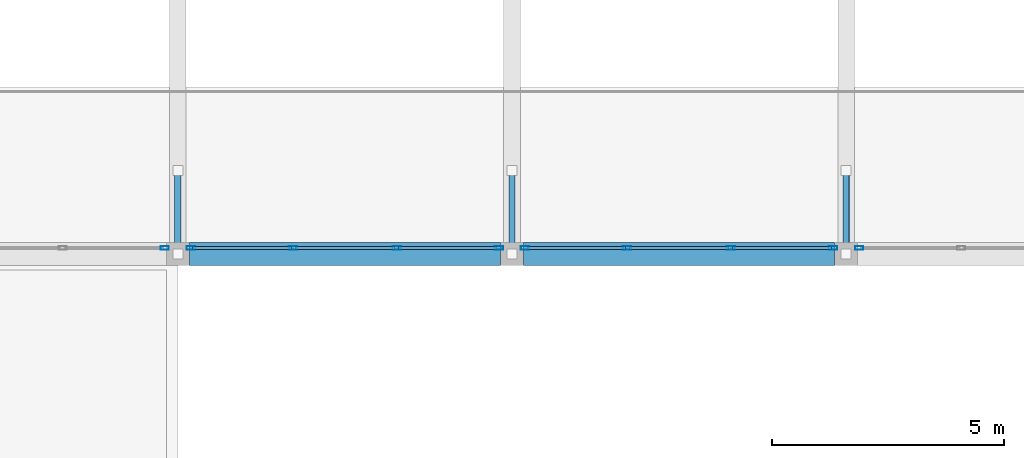
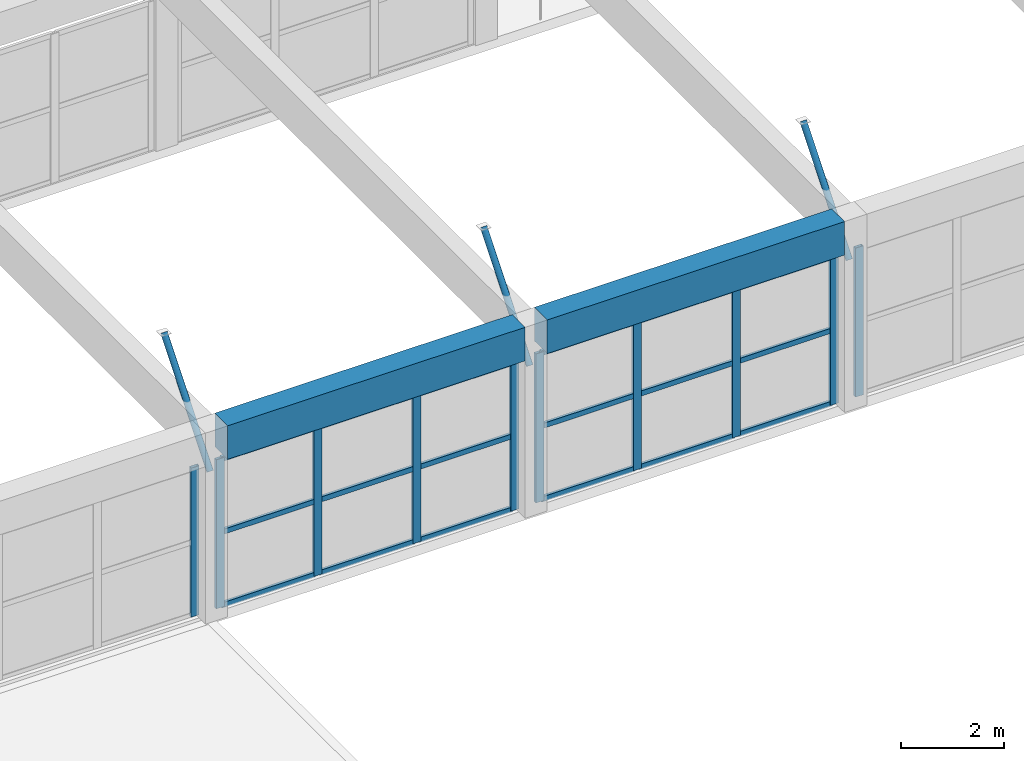
# One storey, part 33 of 153: 31 members, 2 beams, 4 elements without a shape of their own.
"""IFC4 building model written with IfcOpenShell, lengths in metres."""

from ifc_helpers import new_model, si_unit, direction, frame, origin, origin_2d, place, context, subcontext, project, spatial, rectangle, hollow_rectangle, hollow_circle, extrude, material, material_profile, profile_set, type_object, element, aggregate, save


model = new_model("IFC4")

# Units and contexts
model_context = context("Model", 3, precision=1e-05, world=origin(), true_north=direction((0.0, 1.0)))
body_context = subcontext(model_context, "Body", "Model", "MODEL_VIEW")
ifc_project = project(units=[si_unit("LENGTHUNIT", "METRE"), si_unit("AREAUNIT", "SQUARE_METRE"), si_unit("VOLUMEUNIT", "CUBIC_METRE"), si_unit("PLANEANGLEUNIT", "RADIAN"), si_unit("MASSUNIT", "GRAM", prefix="KILO")], contexts=[model_context])

# Site, building, storey
site_placement = place(None, origin())
site = spatial("IfcSite", under=ifc_project, at=site_placement, CompositionType="ELEMENT")
building_placement = place(site_placement, origin())
building = spatial("IfcBuilding", under=site, at=building_placement, Name="Bramvelor Terrace Health Centre", CompositionType="ELEMENT")
storey_placement = place(building_placement, frame((0.0, 0.0, 4.800048828125)))
storey = spatial("IfcBuildingStorey", under=building, at=storey_placement, Name="L02", CompositionType="ELEMENT", Elevation=4.800048828125)

# Beams
ifc_material_1 = material(Name="Concrete C40/50", Category="concrete")
ifc_material_profile_1 = material_profile(ifc_material_1, rectangle(XDim=0.5, YDim=0.800048828125, at=origin_2d()), Name="RC 500x800")
ifc_profile_set_1 = profile_set([ifc_material_profile_1], Name="Concrete C40/50")
beam_type = type_object("IfcBeamType", Name="BM-RC-G800", PredefinedType="BEAM", material=ifc_profile_set_1)
for number, where, z_axis, x_axis, name in (
    (1, (65.050048828125, 36.0, 4.14990234375), (1.0, 0.0, 0.0), (0.0, 1.0, 0.0), "L02 Floor Girder"),
    (2, (72.25, 36.0, 4.14990234375), (1.0, 0.0, 0.0), (0.0, 1.0, 0.0), "L02 Floor Girder"),
):
    element("IfcBeam", number, at=place(storey_placement, frame(where, z_axis=z_axis, x_axis=x_axis)), inside=storey, type_object=beam_type, Name=name, PredefinedType="BEAM", context=body_context, shape_type="SweptSolid", body=[
        extrude(rectangle(XDim=0.5, YDim=0.800048828125, at=origin_2d()), origin(), (0.0, 0.0, 1.0), 6.699951171875),
    ])

# Curtain wall, member
ifc_material_2 = material(Name="Anodized aluminium and double low-E glass", Category="aluminium")
curtain_wall_type = type_object("IfcCurtainWallType", Name="CW-SYS-20", PredefinedType="NOTDEFINED", material=ifc_material_2)
curtain_wall_1_placement = place(storey_placement, origin())
curtain_wall_1 = element("IfcCurtainWall", 3, at=curtain_wall_1_placement, inside=storey, type_object=curtain_wall_type, Name="L02 Unitized Curtain Wall 118", PredefinedType="NOTDEFINED")
ifc_material_3 = material(Name="Anodized aluminium 6063-T6", Category="aluminium")
ifc_material_profile_2 = material_profile(ifc_material_3, hollow_rectangle(XDim=0.074951171875, YDim=0.179931640625, WallThickness=0.00341796875, at=origin_2d()), Name="ALU-MUL 75x180x3.5")
ifc_profile_set_2 = profile_set([ifc_material_profile_2], Name="Anodized aluminium 6063-T6")
member_type_1 = type_object("IfcMemberType", Name="CW-MUL-65x180", PredefinedType="MULLION", material=ifc_profile_set_2)
member_1_placement = place(storey_placement, frame((79.482421875, 36.1298828125, 0.0), z_axis=(0.0, 0.0, 1.0), x_axis=(0.0, -1.0, 0.0)))
member_1 = element("IfcMember", 4, at=member_1_placement, type_object=member_type_1, Name="CW-20 mullion 4", PredefinedType="MULLION", context=body_context, shape_type="SweptSolid", body=[
    extrude(hollow_rectangle(XDim=0.074951171875, YDim=0.179931640625, WallThickness=0.00341796875, at=origin_2d()), origin(), (0.0, 0.0, 1.0), 3.550048828125),
])
aggregate(curtain_wall_1, [member_1])

# Curtain wall, members
curtain_wall_2_placement = place(storey_placement, origin())
curtain_wall_2 = element("IfcCurtainWall", 5, at=curtain_wall_2_placement, inside=storey, type_object=curtain_wall_type, Name="L02 Unitized Curtain Wall 119", PredefinedType="NOTDEFINED")
member_2_placement = place(storey_placement, frame((78.91748046875, 36.1298828125, 0.0), z_axis=(0.0, 0.0, 1.0), x_axis=(0.0, -1.0, 0.0)))
member_2 = element("IfcMember", 6, at=member_2_placement, type_object=member_type_1, Name="CW-20 mullion 1", PredefinedType="MULLION", context=body_context, shape_type="SweptSolid", body=[
    extrude(hollow_rectangle(XDim=0.074951171875, YDim=0.179931640625, WallThickness=0.00341796875, at=origin_2d()), origin(), (0.0, 0.0, 1.0), 3.550048828125),
])
member_3_placement = place(storey_placement, frame((76.71826171875, 36.1298828125, 0.0), z_axis=(0.0, 0.0, 1.0), x_axis=(0.0, -1.0, 0.0)))
member_3 = element("IfcMember", 7, at=member_3_placement, type_object=member_type_1, Name="CW-20 mullion 2", PredefinedType="MULLION", context=body_context, shape_type="SweptSolid", body=[
    extrude(hollow_rectangle(XDim=0.074951171875, YDim=0.179931640625, WallThickness=0.00341796875, at=origin_2d()), origin(), (0.0, 0.0, 1.0), 3.550048828125),
])
member_4_placement = place(storey_placement, frame((74.481689453125, 36.1298828125, 0.0), z_axis=(0.0, 0.0, 1.0), x_axis=(0.0, -1.0, 0.0)))
member_4 = element("IfcMember", 8, at=member_4_placement, type_object=member_type_1, Name="CW-20 mullion 3", PredefinedType="MULLION", context=body_context, shape_type="SweptSolid", body=[
    extrude(hollow_rectangle(XDim=0.074951171875, YDim=0.179931640625, WallThickness=0.00341796875, at=origin_2d()), origin(), (0.0, 0.0, 1.0), 3.550048828125),
])
member_5_placement = place(storey_placement, frame((72.282470703125, 36.1298828125, 0.0), z_axis=(0.0, 0.0, 1.0), x_axis=(0.0, -1.0, 0.0)))
member_5 = element("IfcMember", 9, at=member_5_placement, type_object=member_type_1, Name="CW-20 mullion 4", PredefinedType="MULLION", context=body_context, shape_type="SweptSolid", body=[
    extrude(hollow_rectangle(XDim=0.074951171875, YDim=0.179931640625, WallThickness=0.00341796875, at=origin_2d()), origin(), (0.0, 0.0, 1.0), 3.550048828125),
])

curtain_wall_3_placement = place(storey_placement, origin())
curtain_wall_3 = element("IfcCurtainWall", 10, at=curtain_wall_3_placement, inside=storey, type_object=curtain_wall_type, Name="L02 Unitized Curtain Wall 120", PredefinedType="NOTDEFINED")
member_6_placement = place(storey_placement, frame((71.717529296875, 36.1298828125, 0.0), z_axis=(0.0, 0.0, 1.0), x_axis=(0.0, -1.0, 0.0)))
member_6 = element("IfcMember", 11, at=member_6_placement, type_object=member_type_1, Name="CW-20 mullion 1", PredefinedType="MULLION", context=body_context, shape_type="SweptSolid", body=[
    extrude(hollow_rectangle(XDim=0.074951171875, YDim=0.179931640625, WallThickness=0.00341796875, at=origin_2d()), origin(), (0.0, 0.0, 1.0), 3.550048828125),
])
member_7_placement = place(storey_placement, frame((69.518310546875, 36.1298828125, 0.0), z_axis=(0.0, 0.0, 1.0), x_axis=(0.0, -1.0, 0.0)))
member_7 = element("IfcMember", 12, at=member_7_placement, type_object=member_type_1, Name="CW-20 mullion 2", PredefinedType="MULLION", context=body_context, shape_type="SweptSolid", body=[
    extrude(hollow_rectangle(XDim=0.074951171875, YDim=0.179931640625, WallThickness=0.00341796875, at=origin_2d()), origin(), (0.0, 0.0, 1.0), 3.550048828125),
])
member_8_placement = place(storey_placement, frame((67.28173828125, 36.1298828125, 0.0), z_axis=(0.0, 0.0, 1.0), x_axis=(0.0, -1.0, 0.0)))
member_8 = element("IfcMember", 13, at=member_8_placement, type_object=member_type_1, Name="CW-20 mullion 3", PredefinedType="MULLION", context=body_context, shape_type="SweptSolid", body=[
    extrude(hollow_rectangle(XDim=0.074951171875, YDim=0.179931640625, WallThickness=0.00341796875, at=origin_2d()), origin(), (0.0, 0.0, 1.0), 3.550048828125),
])
member_9_placement = place(storey_placement, frame((65.08251953125, 36.1298828125, 0.0), z_axis=(0.0, 0.0, 1.0), x_axis=(0.0, -1.0, 0.0)))
member_9 = element("IfcMember", 14, at=member_9_placement, type_object=member_type_1, Name="CW-20 mullion 4", PredefinedType="MULLION", context=body_context, shape_type="SweptSolid", body=[
    extrude(hollow_rectangle(XDim=0.074951171875, YDim=0.179931640625, WallThickness=0.00341796875, at=origin_2d()), origin(), (0.0, 0.0, 1.0), 3.550048828125),
])

# Curtain wall, member
curtain_wall_4_placement = place(storey_placement, origin())
curtain_wall_4 = element("IfcCurtainWall", 15, at=curtain_wall_4_placement, inside=storey, type_object=curtain_wall_type, Name="L02 Unitized Curtain Wall 121", PredefinedType="NOTDEFINED")
member_10_placement = place(storey_placement, frame((64.517578125, 36.1298828125, 0.0), z_axis=(0.0, 0.0, 1.0), x_axis=(0.0, -1.0, 0.0)))
member_10 = element("IfcMember", 16, at=member_10_placement, type_object=member_type_1, Name="CW-20 mullion 1", PredefinedType="MULLION", context=body_context, shape_type="SweptSolid", body=[
    extrude(hollow_rectangle(XDim=0.074951171875, YDim=0.179931640625, WallThickness=0.00341796875, at=origin_2d()), origin(), (0.0, 0.0, 1.0), 3.550048828125),
])
aggregate(curtain_wall_4, [member_10])

# Member
ifc_material_4 = material(Name="Anodized aluminium 6063-T6", Category="aluminium")
ifc_material_profile_3 = material_profile(ifc_material_4, hollow_rectangle(XDim=0.06494140625, YDim=0.1201171875, WallThickness=0.0029296875, at=origin_2d()), Name="ALU-TRN 65x120x3.0")
ifc_profile_set_3 = profile_set([ifc_material_profile_3], Name="Anodized aluminium 6063-T6")
member_type_2 = type_object("IfcMemberType", Name="CW-TRN-65x150", PredefinedType="USERDEFINED", material=ifc_profile_set_3)
member_11_placement = place(storey_placement, frame((78.8798828125, 36.1298828125, 0.032470703125), z_axis=(-1.0, 0.0, 0.0), x_axis=(0.0, -1.0, 0.0)))
member_11 = element("IfcMember", 17, at=member_11_placement, type_object=member_type_2, Name="CW-20 transom 1.1", ObjectType="TRANSOM", PredefinedType="USERDEFINED", context=body_context, shape_type="SweptSolid", body=[
    extrude(hollow_rectangle(XDim=0.06494140625, YDim=0.1201171875, WallThickness=0.0029296875, at=origin_2d()), origin(), (0.0, 0.0, 1.0), 2.1240234375),
])

member_12_placement = place(storey_placement, frame((78.8798828125, 36.1298828125, 1.77490234375), z_axis=(-1.0, 0.0, 0.0), x_axis=(0.0, -1.0, 0.0)))
member_12 = element("IfcMember", 18, at=member_12_placement, type_object=member_type_2, Name="CW-20 transom 1.2", ObjectType="TRANSOM", PredefinedType="USERDEFINED", context=body_context, shape_type="SweptSolid", body=[
    extrude(hollow_rectangle(XDim=0.06494140625, YDim=0.1201171875, WallThickness=0.0029296875, at=origin_2d()), origin(), (0.0, 0.0, 1.0), 2.1240234375),
])

member_13_placement = place(storey_placement, frame((78.8798828125, 36.1298828125, 3.517333984375), z_axis=(-1.0, 0.0, 0.0), x_axis=(0.0, -1.0, 0.0)))
member_13 = element("IfcMember", 19, at=member_13_placement, type_object=member_type_2, Name="CW-20 transom 1.3", ObjectType="TRANSOM", PredefinedType="USERDEFINED", context=body_context, shape_type="SweptSolid", body=[
    extrude(hollow_rectangle(XDim=0.06494140625, YDim=0.1201171875, WallThickness=0.0029296875, at=origin_2d()), origin(), (0.0, 0.0, 1.0), 2.1240234375),
])

member_14_placement = place(storey_placement, frame((76.680908203125, 36.1298828125, 0.032470703125), z_axis=(-1.0, 0.0, 0.0), x_axis=(0.0, -1.0, 0.0)))
member_14 = element("IfcMember", 20, at=member_14_placement, type_object=member_type_2, Name="CW-20 transom 2.1", ObjectType="TRANSOM", PredefinedType="USERDEFINED", context=body_context, shape_type="SweptSolid", body=[
    extrude(hollow_rectangle(XDim=0.06494140625, YDim=0.1201171875, WallThickness=0.0029296875, at=origin_2d()), origin(), (0.0, 0.0, 1.0), 2.16162109375),
])

member_15_placement = place(storey_placement, frame((76.680908203125, 36.1298828125, 1.77490234375), z_axis=(-1.0, 0.0, 0.0), x_axis=(0.0, -1.0, 0.0)))
member_15 = element("IfcMember", 21, at=member_15_placement, type_object=member_type_2, Name="CW-20 transom 2.2", ObjectType="TRANSOM", PredefinedType="USERDEFINED", context=body_context, shape_type="SweptSolid", body=[
    extrude(hollow_rectangle(XDim=0.06494140625, YDim=0.1201171875, WallThickness=0.0029296875, at=origin_2d()), origin(), (0.0, 0.0, 1.0), 2.16162109375),
])

member_16_placement = place(storey_placement, frame((76.680908203125, 36.1298828125, 3.517333984375), z_axis=(-1.0, 0.0, 0.0), x_axis=(0.0, -1.0, 0.0)))
member_16 = element("IfcMember", 22, at=member_16_placement, type_object=member_type_2, Name="CW-20 transom 2.3", ObjectType="TRANSOM", PredefinedType="USERDEFINED", context=body_context, shape_type="SweptSolid", body=[
    extrude(hollow_rectangle(XDim=0.06494140625, YDim=0.1201171875, WallThickness=0.0029296875, at=origin_2d()), origin(), (0.0, 0.0, 1.0), 2.16162109375),
])

member_17_placement = place(storey_placement, frame((74.444091796875, 36.1298828125, 0.032470703125), z_axis=(-1.0, 0.0, 0.0), x_axis=(0.0, -1.0, 0.0)))
member_17 = element("IfcMember", 23, at=member_17_placement, type_object=member_type_2, Name="CW-20 transom 3.1", ObjectType="TRANSOM", PredefinedType="USERDEFINED", context=body_context, shape_type="SweptSolid", body=[
    extrude(hollow_rectangle(XDim=0.06494140625, YDim=0.1201171875, WallThickness=0.0029296875, at=origin_2d()), origin(), (0.0, 0.0, 1.0), 2.1240234375),
])

member_18_placement = place(storey_placement, frame((74.444091796875, 36.1298828125, 1.77490234375), z_axis=(-1.0, 0.0, 0.0), x_axis=(0.0, -1.0, 0.0)))
member_18 = element("IfcMember", 24, at=member_18_placement, type_object=member_type_2, Name="CW-20 transom 3.2", ObjectType="TRANSOM", PredefinedType="USERDEFINED", context=body_context, shape_type="SweptSolid", body=[
    extrude(hollow_rectangle(XDim=0.06494140625, YDim=0.1201171875, WallThickness=0.0029296875, at=origin_2d()), origin(), (0.0, 0.0, 1.0), 2.1240234375),
])

member_19_placement = place(storey_placement, frame((74.444091796875, 36.1298828125, 3.517333984375), z_axis=(-1.0, 0.0, 0.0), x_axis=(0.0, -1.0, 0.0)))
member_19 = element("IfcMember", 25, at=member_19_placement, type_object=member_type_2, Name="CW-20 transom 3.3", ObjectType="TRANSOM", PredefinedType="USERDEFINED", context=body_context, shape_type="SweptSolid", body=[
    extrude(hollow_rectangle(XDim=0.06494140625, YDim=0.1201171875, WallThickness=0.0029296875, at=origin_2d()), origin(), (0.0, 0.0, 1.0), 2.1240234375),
])

aggregate(curtain_wall_2, [member_2, member_3, member_4, member_5, member_11, member_12, member_13, member_14, member_15, member_16, member_17, member_18, member_19])

member_20_placement = place(storey_placement, frame((71.679931640625, 36.1298828125, 0.032470703125), z_axis=(-1.0, 0.0, 0.0), x_axis=(0.0, -1.0, 0.0)))
member_20 = element("IfcMember", 26, at=member_20_placement, type_object=member_type_2, Name="CW-20 transom 1.1", ObjectType="TRANSOM", PredefinedType="USERDEFINED", context=body_context, shape_type="SweptSolid", body=[
    extrude(hollow_rectangle(XDim=0.06494140625, YDim=0.1201171875, WallThickness=0.0029296875, at=origin_2d()), origin(), (0.0, 0.0, 1.0), 2.1240234375),
])

member_21_placement = place(storey_placement, frame((71.679931640625, 36.1298828125, 1.77490234375), z_axis=(-1.0, 0.0, 0.0), x_axis=(0.0, -1.0, 0.0)))
member_21 = element("IfcMember", 27, at=member_21_placement, type_object=member_type_2, Name="CW-20 transom 1.2", ObjectType="TRANSOM", PredefinedType="USERDEFINED", context=body_context, shape_type="SweptSolid", body=[
    extrude(hollow_rectangle(XDim=0.06494140625, YDim=0.1201171875, WallThickness=0.0029296875, at=origin_2d()), origin(), (0.0, 0.0, 1.0), 2.1240234375),
])

member_22_placement = place(storey_placement, frame((71.679931640625, 36.1298828125, 3.517333984375), z_axis=(-1.0, 0.0, 0.0), x_axis=(0.0, -1.0, 0.0)))
member_22 = element("IfcMember", 28, at=member_22_placement, type_object=member_type_2, Name="CW-20 transom 1.3", ObjectType="TRANSOM", PredefinedType="USERDEFINED", context=body_context, shape_type="SweptSolid", body=[
    extrude(hollow_rectangle(XDim=0.06494140625, YDim=0.1201171875, WallThickness=0.0029296875, at=origin_2d()), origin(), (0.0, 0.0, 1.0), 2.1240234375),
])

member_23_placement = place(storey_placement, frame((69.480712890625, 36.1298828125, 0.032470703125), z_axis=(-1.0, 0.0, 0.0), x_axis=(0.0, -1.0, 0.0)))
member_23 = element("IfcMember", 29, at=member_23_placement, type_object=member_type_2, Name="CW-20 transom 2.1", ObjectType="TRANSOM", PredefinedType="USERDEFINED", context=body_context, shape_type="SweptSolid", body=[
    extrude(hollow_rectangle(XDim=0.06494140625, YDim=0.1201171875, WallThickness=0.0029296875, at=origin_2d()), origin(), (0.0, 0.0, 1.0), 2.16162109375),
])

member_24_placement = place(storey_placement, frame((69.480712890625, 36.1298828125, 1.77490234375), z_axis=(-1.0, 0.0, 0.0), x_axis=(0.0, -1.0, 0.0)))
member_24 = element("IfcMember", 30, at=member_24_placement, type_object=member_type_2, Name="CW-20 transom 2.2", ObjectType="TRANSOM", PredefinedType="USERDEFINED", context=body_context, shape_type="SweptSolid", body=[
    extrude(hollow_rectangle(XDim=0.06494140625, YDim=0.1201171875, WallThickness=0.0029296875, at=origin_2d()), origin(), (0.0, 0.0, 1.0), 2.16162109375),
])

member_25_placement = place(storey_placement, frame((69.480712890625, 36.1298828125, 3.517333984375), z_axis=(-1.0, 0.0, 0.0), x_axis=(0.0, -1.0, 0.0)))
member_25 = element("IfcMember", 31, at=member_25_placement, type_object=member_type_2, Name="CW-20 transom 2.3", ObjectType="TRANSOM", PredefinedType="USERDEFINED", context=body_context, shape_type="SweptSolid", body=[
    extrude(hollow_rectangle(XDim=0.06494140625, YDim=0.1201171875, WallThickness=0.0029296875, at=origin_2d()), origin(), (0.0, 0.0, 1.0), 2.16162109375),
])

member_26_placement = place(storey_placement, frame((67.244140625, 36.1298828125, 0.032470703125), z_axis=(-1.0, 0.0, 0.0), x_axis=(0.0, -1.0, 0.0)))
member_26 = element("IfcMember", 32, at=member_26_placement, type_object=member_type_2, Name="CW-20 transom 3.1", ObjectType="TRANSOM", PredefinedType="USERDEFINED", context=body_context, shape_type="SweptSolid", body=[
    extrude(hollow_rectangle(XDim=0.06494140625, YDim=0.1201171875, WallThickness=0.0029296875, at=origin_2d()), origin(), (0.0, 0.0, 1.0), 2.1240234375),
])

member_27_placement = place(storey_placement, frame((67.244140625, 36.1298828125, 1.77490234375), z_axis=(-1.0, 0.0, 0.0), x_axis=(0.0, -1.0, 0.0)))
member_27 = element("IfcMember", 33, at=member_27_placement, type_object=member_type_2, Name="CW-20 transom 3.2", ObjectType="TRANSOM", PredefinedType="USERDEFINED", context=body_context, shape_type="SweptSolid", body=[
    extrude(hollow_rectangle(XDim=0.06494140625, YDim=0.1201171875, WallThickness=0.0029296875, at=origin_2d()), origin(), (0.0, 0.0, 1.0), 2.1240234375),
])

member_28_placement = place(storey_placement, frame((67.244140625, 36.1298828125, 3.517333984375), z_axis=(-1.0, 0.0, 0.0), x_axis=(0.0, -1.0, 0.0)))
member_28 = element("IfcMember", 34, at=member_28_placement, type_object=member_type_2, Name="CW-20 transom 3.3", ObjectType="TRANSOM", PredefinedType="USERDEFINED", context=body_context, shape_type="SweptSolid", body=[
    extrude(hollow_rectangle(XDim=0.06494140625, YDim=0.1201171875, WallThickness=0.0029296875, at=origin_2d()), origin(), (0.0, 0.0, 1.0), 2.1240234375),
])

aggregate(curtain_wall_3, [member_6, member_7, member_8, member_9, member_20, member_21, member_22, member_23, member_24, member_25, member_26, member_27, member_28])

# Members
ifc_material_5 = material(Name="Steel S355J2", Category="steel")
ifc_material_profile_4 = material_profile(ifc_material_5, hollow_circle(Radius=0.06982421875, WallThickness=0.0048828125, at=origin_2d()), Name="CHS 139.7x5.0")
ifc_profile_set_4 = profile_set([ifc_material_profile_4], Name="Steel S355J2")
member_type_3 = type_object("IfcMemberType", Name="MEM-STL-CHS139", PredefinedType="STRUT", material=ifc_profile_set_4)
for number, where, z_axis, x_axis, name in (
    (35, (64.800048828125, 36.0, 3.39990234375), (0.0, 0.62952484871, 0.776980350367), (-1.0, 0.0, 0.0), "Waiting Hall Storm-Eave Knee Strut S4"),
    (36, (72.0, 36.0, 3.39990234375), (0.0, 0.62952484871, 0.776980350367), (-1.0, 0.0, 0.0), "Waiting Hall Storm-Eave Knee Strut S5"),
    (37, (79.199951171875, 36.0, 3.39990234375), (0.0, 0.62952484871, 0.776980350367), (-1.0, 0.0, 0.0), "Waiting Hall Storm-Eave Knee Strut S6"),
):
    element("IfcMember", number, at=place(storey_placement, frame(where, z_axis=z_axis, x_axis=x_axis)), inside=storey, type_object=member_type_3, Name=name, PredefinedType="STRUT", context=body_context, shape_type="SweptSolid", body=[
        extrude(hollow_circle(Radius=0.06982421875, WallThickness=0.0048828125, at=origin_2d()), origin(), (0.0, 0.0, 1.0), 2.859375),
    ])

save(model, "model.ifc")
